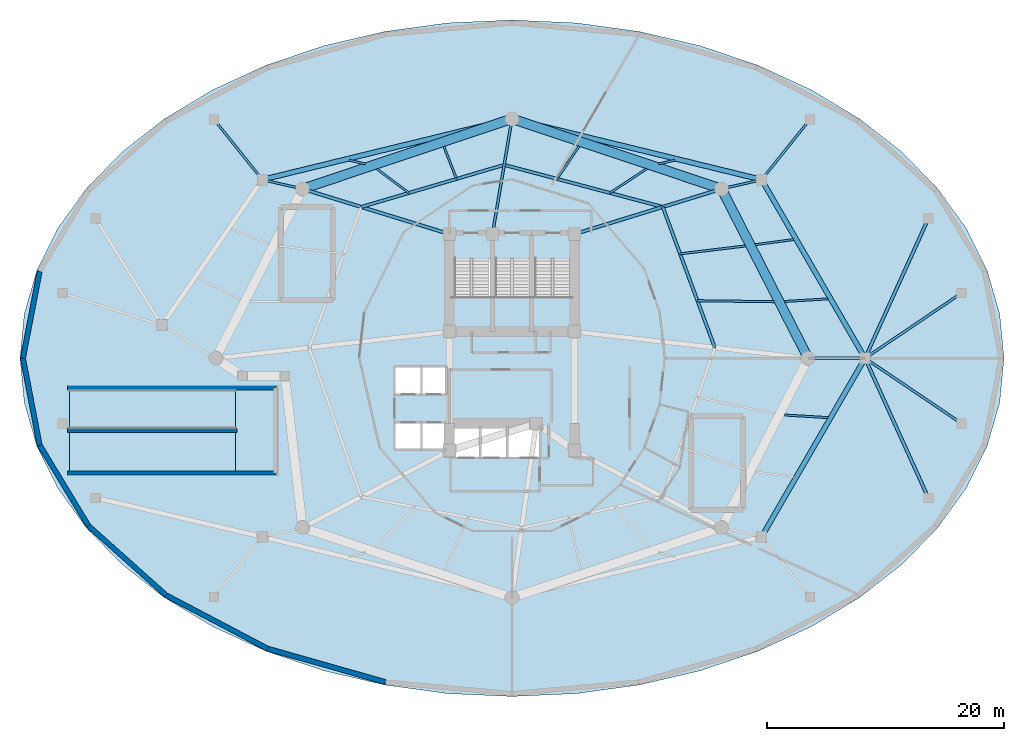
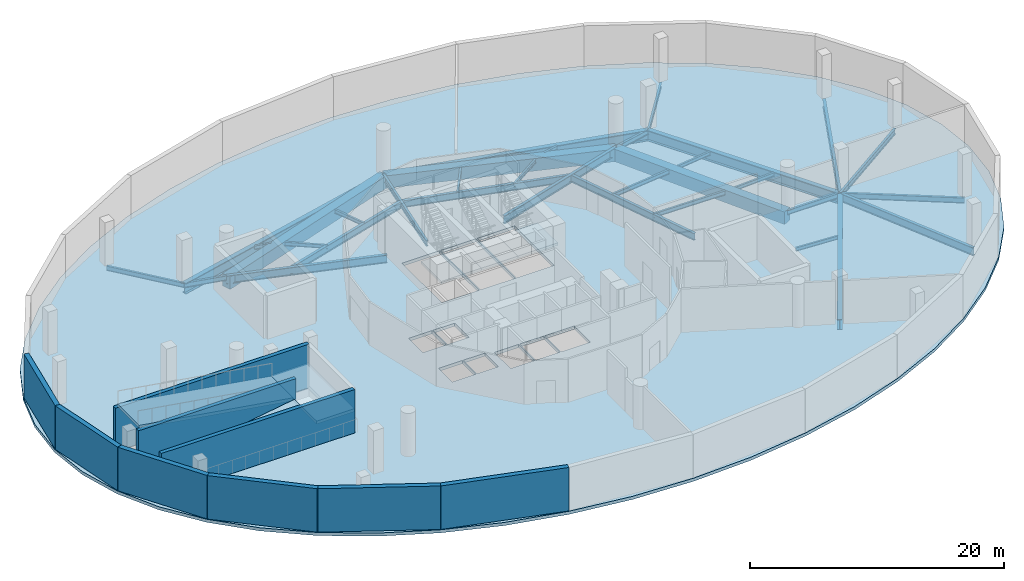
# One storey, part 2 of 8: 33 beams, 9 walls, 7 slabs, 3 elements without a shape of their own.
"""IFC4 building model written with IfcOpenShell, lengths in metres."""

from ifc_helpers import new_model, si_unit, direction, frame, frame_2d, origin, origin_2d, place, context, subcontext, project, spatial, polyline, rectangle, i_section, outline, extrude, material, layer, layer_set, material_profile, profile_set, type_object, element, aggregate, save


model = new_model("IFC4")

# Units and contexts
model_context = context("Model", 3, precision=1e-05, world=origin(), true_north=direction((0.0, 1.0)))
body_context = subcontext(model_context, "Body", "Model", "MODEL_VIEW")
ifc_project = project(units=[si_unit("LENGTHUNIT", "METRE"), si_unit("AREAUNIT", "SQUARE_METRE"), si_unit("VOLUMEUNIT", "CUBIC_METRE"), si_unit("PLANEANGLEUNIT", "RADIAN"), si_unit("MASSUNIT", "GRAM", prefix="KILO")], contexts=[model_context])

# Site, building, storey
site_placement = place(None, origin())
site = spatial("IfcSite", under=ifc_project, at=site_placement, CompositionType="ELEMENT")
building_placement = place(site_placement, origin())
building = spatial("IfcBuilding", under=site, at=building_placement, Name="Nuhasar Tower", CompositionType="ELEMENT")
storey_placement = place(building_placement, frame((0.0, 0.0, -4.5)))
storey = spatial("IfcBuildingStorey", under=building, at=storey_placement, Name="B1", CompositionType="ELEMENT", Elevation=-4.5)

# Beams
ifc_material_1 = material(Name="Concrete C50/60", Category="concrete")
ifc_material_profile_1 = material_profile(ifc_material_1, rectangle(XDim=0.800048828125, YDim=1.199951171875, at=origin_2d()), Name="RC800X1200")
ifc_profile_set_1 = profile_set([ifc_material_profile_1], Name="Concrete C50/60")
beam_type_1 = type_object("IfcBeamType", Name="BM-GRD-RC800", PredefinedType="T_BEAM", material=ifc_profile_set_1)
beam_1_placement = place(storey_placement, frame((64.050048828125, 26.800048828125, -0.89990234375), z_axis=(-0.456029199343, 0.889964813544, 0.0), x_axis=(-0.889964813544, -0.456029199343, 0.0)))
element("IfcBeam", 1, at=beam_1_placement, inside=storey, type_object=beam_type_1, Name="B1 Mega-Column Ring Girder 04", PredefinedType="T_BEAM", context=body_context, shape_type="SweptSolid", body=[
    extrude(rectangle(XDim=0.800048828125, YDim=1.199951171875, at=origin_2d()), origin(), (0.0, 0.0, 1.0), 16.089111328125),
])
for number, where, z_axis, x_axis, name in (
    (2, (56.712890625, 41.118896484375, -0.89990234375), (-0.948251107254, 0.317521397062, 0.0), (-0.317521397062, -0.948251107254, 0.0), "B1 Mega-Column Ring Girder 05"),
    (3, (39.0, 47.050048828125, -0.89990234375), (-0.948251107254, -0.317521397062, 0.0), (0.317521397062, -0.948251107254, 0.0), "B1 Mega-Column Ring Girder 06"),
):
    element("IfcBeam", number, at=place(storey_placement, frame(where, z_axis=z_axis, x_axis=x_axis)), inside=storey, type_object=beam_type_1, Name=name, PredefinedType="T_BEAM", context=body_context, shape_type="SweptSolid", body=[
        extrude(rectangle(XDim=0.800048828125, YDim=1.199951171875, at=origin_2d()), origin(), (0.0, 0.0, 1.0), 18.679443359375),
    ])
ifc_material_2 = material(Name="Steel S355", Category="steel")
ifc_material_profile_2 = material_profile(ifc_material_2, i_section(OverallWidth=0.25390625, OverallDepth=0.68408203125, WebThickness=0.012451171875, FlangeThickness=0.018798828125, at=origin_2d()), Name="W27X94")
ifc_profile_set_2 = profile_set([ifc_material_profile_2], Name="Steel S355")
beam_type_2 = type_object("IfcBeamType", Name="BM-INRING-W27X94", PredefinedType="BEAM", material=ifc_profile_set_2)
beam_2_placement = place(storey_placement, frame((56.14990234375, 27.699951171875, -0.64208984375), z_axis=(-0.34715757476, 0.937806812881, 0.0), x_axis=(-0.937806812881, -0.34715757476, 0.0)))
element("IfcBeam", 4, at=beam_2_placement, inside=storey, type_object=beam_type_2, Name="B1 Inner Header Beam 04", PredefinedType="BEAM", context=body_context, shape_type="SweptSolid", body=[
    extrude(i_section(OverallWidth=0.25390625, OverallDepth=0.68408203125, WebThickness=0.012451171875, FlangeThickness=0.018798828125, at=origin_2d()), origin(), (0.0, 0.0, 1.0), 12.6796875),
])
beam_3_placement = place(storey_placement, frame((51.748046875, 39.591064453125, -0.64208984375), z_axis=(-0.96653253005, 0.256544086574, 0.0), x_axis=(-0.256544086574, -0.96653253005, 0.0)))
element("IfcBeam", 5, at=beam_3_placement, inside=storey, type_object=beam_type_2, Name="B1 Inner Header Beam 05", PredefinedType="BEAM", context=body_context, shape_type="SweptSolid", body=[
    extrude(i_section(OverallWidth=0.25390625, OverallDepth=0.68408203125, WebThickness=0.012451171875, FlangeThickness=0.018798828125, at=origin_2d()), origin(), (0.0, 0.0, 1.0), 13.872314453125),
])
beam_4_placement = place(storey_placement, frame((38.340087890625, 43.14990234375, -0.64208984375), z_axis=(-0.959290190666, -0.28242225495, 0.0), x_axis=(0.28242225495, -0.959290190666, 0.0)))
element("IfcBeam", 6, at=beam_4_placement, inside=storey, type_object=beam_type_2, Name="B1 Inner Header Beam 06", PredefinedType="BEAM", context=body_context, shape_type="SweptSolid", body=[
    extrude(i_section(OverallWidth=0.25390625, OverallDepth=0.68408203125, WebThickness=0.012451171875, FlangeThickness=0.018798828125, at=origin_2d()), origin(), (0.0, 0.0, 1.0), 12.60107421875),
])
ifc_material_profile_3 = material_profile(ifc_material_2, i_section(OverallWidth=0.1708984375, OverallDepth=0.35205078125, WebThickness=0.0068359375, FlangeThickness=0.009765625, at=origin_2d()), Name="W14X30")
ifc_profile_set_3 = profile_set([ifc_material_profile_3], Name="Steel S355")
beam_type_3 = type_object("IfcBeamType", Name="BM-JST-W14X30", PredefinedType="JOIST", material=ifc_profile_set_3)
beam_5_placement = place(storey_placement, frame((47.279052734375, 40.777099609375, -0.47607421875), z_axis=(0.835827677941, 0.548991887725, 0.0), x_axis=(-0.548991887725, 0.835827677941, 0.0)))
element("IfcBeam", 7, at=beam_5_placement, inside=storey, type_object=beam_type_3, Name="B1 Secondary Floor Joist 09", PredefinedType="JOIST", context=body_context, shape_type="SweptSolid", body=[
    extrude(i_section(OverallWidth=0.1708984375, OverallDepth=0.35205078125, WebThickness=0.0068359375, FlangeThickness=0.009765625, at=origin_2d()), origin(), (0.0, 0.0, 1.0), 3.719482421875),
])
beam_6_placement = place(storey_placement, frame((42.80908203125, 41.964111328125, -0.47607421875), z_axis=(0.558996688028, 0.829169887763, 0.0), x_axis=(-0.829169887763, 0.558996688028, 0.0)))
element("IfcBeam", 8, at=beam_6_placement, inside=storey, type_object=beam_type_3, Name="B1 Secondary Floor Joist 10", PredefinedType="JOIST", context=body_context, shape_type="SweptSolid", body=[
    extrude(i_section(OverallWidth=0.1708984375, OverallDepth=0.35205078125, WebThickness=0.0068359375, FlangeThickness=0.009765625, at=origin_2d()), origin(), (0.0, 0.0, 1.0), 3.338134765625),
])
beam_7_placement = place(storey_placement, frame((34.31103515625, 41.964111328125, -0.47607421875), z_axis=(-0.364067646206, 0.931372508176, 0.0), x_axis=(-0.931372508176, -0.364067646206, 0.0)))
element("IfcBeam", 9, at=beam_7_placement, inside=storey, type_object=beam_type_3, Name="B1 Secondary Floor Joist 11", PredefinedType="JOIST", context=body_context, shape_type="SweptSolid", body=[
    extrude(i_section(OverallWidth=0.1708984375, OverallDepth=0.35205078125, WebThickness=0.0068359375, FlangeThickness=0.009765625, at=origin_2d()), origin(), (0.0, 0.0, 1.0), 2.94189453125),
])
beam_8_placement = place(storey_placement, frame((30.281005859375, 40.777099609375, -0.47607421875), z_axis=(-0.799861374517, 0.600184789507, 0.0), x_axis=(-0.600184789507, -0.799861374517, 0.0)))
element("IfcBeam", 10, at=beam_8_placement, inside=storey, type_object=beam_type_3, Name="B1 Secondary Floor Joist 12", PredefinedType="JOIST", context=body_context, shape_type="SweptSolid", body=[
    extrude(i_section(OverallWidth=0.1708984375, OverallDepth=0.35205078125, WebThickness=0.0068359375, FlangeThickness=0.009765625, at=origin_2d()), origin(), (0.0, 0.0, 1.0), 3.3818359375),
])
for number, where, z_axis, x_axis, name in (
    (11, (62.035888671875, 22.0009765625, -0.47607421875), (0.998208733743, -0.059827450882, 0.0), (0.059827450882, 0.998208733743, 0.0), "B1 Podium Secondary Joist 06"),
    (12, (62.035888671875, 31.59912109375, -0.47607421875), (0.998208733743, 0.059827450882, 0.0), (-0.059827450882, 0.998208733743, 0.0), "B1 Podium Secondary Joist 07"),
):
    element("IfcBeam", number, at=place(storey_placement, frame(where, z_axis=z_axis, x_axis=x_axis)), inside=storey, type_object=beam_type_3, Name=name, PredefinedType="JOIST", context=body_context, shape_type="SweptSolid", body=[
        extrude(i_section(OverallWidth=0.1708984375, OverallDepth=0.35205078125, WebThickness=0.0068359375, FlangeThickness=0.009765625, at=origin_2d()), origin(), (0.0, 0.0, 1.0), 3.6767578125),
    ])
beam_9_placement = place(storey_placement, frame((59.574951171875, 36.402099609375, -0.47607421875), z_axis=(0.99111285678, 0.133023701368, 0.0), x_axis=(-0.133023701368, 0.99111285678, 0.0)))
element("IfcBeam", 13, at=beam_9_placement, inside=storey, type_object=beam_type_3, Name="B1 Podium Secondary Joist 08", PredefinedType="JOIST", context=body_context, shape_type="SweptSolid", body=[
    extrude(i_section(OverallWidth=0.1708984375, OverallDepth=0.35205078125, WebThickness=0.0068359375, FlangeThickness=0.009765625, at=origin_2d()), origin(), (0.0, 0.0, 1.0), 3.25390625),
])
for number, where, z_axis, x_axis, name in (
    (14, (51.402099609375, 43.23193359375, -0.47607421875), (0.974673547169, 0.223632458399, 0.0), (-0.223632458399, 0.974673547169, 0.0), "B1 Podium Secondary Joist 09"),
    (15, (26.597900390625, 43.23193359375, -0.47607421875), (-0.974673547169, 0.223632458399, 0.0), (-0.223632458399, -0.974673547169, 0.0), "B1 Podium Secondary Joist 12"),
):
    element("IfcBeam", number, at=place(storey_placement, frame(where, z_axis=z_axis, x_axis=x_axis)), inside=storey, type_object=beam_type_3, Name=name, PredefinedType="JOIST", context=body_context, shape_type="SweptSolid", body=[
        extrude(i_section(OverallWidth=0.1708984375, OverallDepth=0.35205078125, WebThickness=0.0068359375, FlangeThickness=0.009765625, at=origin_2d()), origin(), (0.0, 0.0, 1.0), 1.395263671875),
    ])
ifc_material_profile_4 = material_profile(ifc_material_2, i_section(OverallWidth=0.177978515625, OverallDepth=0.406005859375, WebThickness=0.0078125, FlangeThickness=0.0126953125, at=origin_2d()), Name="W16X40")
ifc_profile_set_4 = profile_set([ifc_material_profile_4], Name="Steel S355")
beam_type_4 = type_object("IfcBeamType", Name="BM-JST-W16X40", PredefinedType="JOIST", material=ifc_profile_set_4)
beam_10_placement = place(storey_placement, frame((54.68310546875, 31.6640625, -0.5029296875), z_axis=(0.999913869962, -0.013124505969, 0.0), x_axis=(0.013124505969, 0.999913869962, 0.0)))
element("IfcBeam", 16, at=beam_10_placement, inside=storey, type_object=beam_type_4, Name="B1 Secondary Floor Joist 07", PredefinedType="JOIST", context=body_context, shape_type="SweptSolid", body=[
    extrude(i_section(OverallWidth=0.177978515625, OverallDepth=0.406005859375, WebThickness=0.0078125, FlangeThickness=0.0126953125, at=origin_2d()), origin(), (0.0, 0.0, 1.0), 6.473388671875),
])
beam_11_placement = place(storey_placement, frame((53.215087890625, 35.626953125, -0.5029296875), z_axis=(0.992770578083, 0.120027410589, 0.0), x_axis=(-0.120027410589, 0.992770578083, 0.0)))
element("IfcBeam", 17, at=beam_11_placement, inside=storey, type_object=beam_type_4, Name="B1 Secondary Floor Joist 08", PredefinedType="JOIST", context=body_context, shape_type="SweptSolid", body=[
    extrude(i_section(OverallWidth=0.177978515625, OverallDepth=0.406005859375, WebThickness=0.0078125, FlangeThickness=0.0126953125, at=origin_2d()), origin(), (0.0, 0.0, 1.0), 5.565185546875),
])
ifc_material_profile_5 = material_profile(ifc_material_2, i_section(OverallWidth=0.18994140625, OverallDepth=0.45703125, WebThickness=0.009033203125, FlangeThickness=0.014404296875, at=origin_2d()), Name="W18X50")
ifc_profile_set_5 = profile_set([ifc_material_profile_5], Name="Steel S355")
beam_type_5 = type_object("IfcBeamType", Name="BM-RAD-W18X50", PredefinedType="BEAM", material=ifc_profile_set_5)
beam_12_placement = place(storey_placement, frame((64.050048828125, 26.800048828125, -0.529052734375), z_axis=(1.0, 0.0, 0.0), x_axis=(0.0, 1.0, 0.0)))
element("IfcBeam", 18, at=beam_12_placement, inside=storey, type_object=beam_type_5, Name="B1 Podium Radial Girder 04", PredefinedType="BEAM", context=body_context, shape_type="SweptSolid", body=[
    extrude(i_section(OverallWidth=0.18994140625, OverallDepth=0.45703125, WebThickness=0.009033203125, FlangeThickness=0.014404296875, at=origin_2d()), origin(), (0.0, 0.0, 1.0), 4.800048828125),
])
for number, where, z_axis, x_axis, name in (
    (19, (56.712890625, 41.118896484375, -0.529052734375), (0.974715141502, 0.223451097394, 0.0), (-0.223451097394, 0.974715141502, 0.0), "B1 Podium Radial Girder 05"),
    (20, (21.287109375, 41.118896484375, -0.529052734375), (-0.974715141502, 0.223451097394, 0.0), (-0.223451097394, -0.974715141502, 0.0), "B1 Podium Radial Girder 07"),
):
    element("IfcBeam", number, at=place(storey_placement, frame(where, z_axis=z_axis, x_axis=x_axis)), inside=storey, type_object=beam_type_5, Name=name, PredefinedType="BEAM", context=body_context, shape_type="SweptSolid", body=[
        extrude(i_section(OverallWidth=0.18994140625, OverallDepth=0.45703125, WebThickness=0.009033203125, FlangeThickness=0.014404296875, at=origin_2d()), origin(), (0.0, 0.0, 1.0), 3.482177734375),
    ])
for number, where, z_axis, x_axis, name in (
    (21, (60.10693359375, 41.89697265625, -0.529052734375), (0.625682182074, 0.780078077525, 0.0), (-0.780078077525, 0.625682182074, 0.0), "B1 Substructure Cap Tie Girder 09"),
    (22, (17.89306640625, 41.89697265625, -0.529052734375), (-0.625682182074, 0.780078077525, 0.0), (-0.780078077525, -0.625682182074, 0.0), "B1 Substructure Cap Tie Girder 12"),
):
    element("IfcBeam", number, at=place(storey_placement, frame(where, z_axis=z_axis, x_axis=x_axis)), inside=storey, type_object=beam_type_5, Name=name, PredefinedType="BEAM", context=body_context, shape_type="SweptSolid", body=[
        extrude(i_section(OverallWidth=0.18994140625, OverallDepth=0.45703125, WebThickness=0.009033203125, FlangeThickness=0.014404296875, at=origin_2d()), origin(), (0.0, 0.0, 1.0), 6.541748046875),
    ])
ifc_material_profile_6 = material_profile(ifc_material_2, i_section(OverallWidth=0.208984375, OverallDepth=0.532958984375, WebThickness=0.01025390625, FlangeThickness=0.015625, at=origin_2d()), Name="W21X62")
ifc_profile_set_6 = profile_set([ifc_material_profile_6], Name="Steel S355")
beam_type_6 = type_object("IfcBeamType", Name="BM-RAD-W21X62", PredefinedType="BEAM", material=ifc_profile_set_6)
beam_13_placement = place(storey_placement, frame((37.35009765625, 37.300048828125, -0.56591796875), z_axis=(0.166848703013, 0.98598251014, 0.0), x_axis=(-0.98598251014, 0.166848703013, 0.0)))
element("IfcBeam", 23, at=beam_13_placement, inside=storey, type_object=beam_type_6, Name="B1 Radial Floor Girder 06", PredefinedType="BEAM", context=body_context, shape_type="SweptSolid", body=[
    extrude(i_section(OverallWidth=0.208984375, OverallDepth=0.532958984375, WebThickness=0.01025390625, FlangeThickness=0.015625, at=origin_2d()), origin(), (0.0, 0.0, 1.0), 9.888671875),
])
for number, where, z_axis, x_axis, name in (
    (24, (68.85009765625, 26.800048828125, -0.56591796875), (0.828904515443, -0.559390118145, 0.0), (0.559390118145, 0.828904515443, 0.0), "B1 Substructure Cap Tie Girder 04"),
    (25, (68.85009765625, 26.800048828125, -0.56591796875), (0.828904515443, 0.559390118145, 0.0), (-0.559390118145, 0.828904515443, 0.0), "B1 Substructure Cap Tie Girder 07"),
):
    element("IfcBeam", number, at=place(storey_placement, frame(where, z_axis=z_axis, x_axis=x_axis)), inside=storey, type_object=beam_type_6, Name=name, PredefinedType="BEAM", context=body_context, shape_type="SweptSolid", body=[
        extrude(i_section(OverallWidth=0.208984375, OverallDepth=0.532958984375, WebThickness=0.01025390625, FlangeThickness=0.015625, at=origin_2d()), origin(), (0.0, 0.0, 1.0), 9.83203125),
    ])
ifc_material_profile_7 = material_profile(ifc_material_2, i_section(OverallWidth=0.26611328125, OverallDepth=0.779052734375, WebThickness=0.0166015625, FlangeThickness=0.030029296875, at=origin_2d()), Name="W30X148")
ifc_profile_set_7 = profile_set([ifc_material_profile_7], Name="Steel S355")
beam_type_7 = type_object("IfcBeamType", Name="BM-RAD-W30X148", PredefinedType="BEAM", material=ifc_profile_set_7)
for number, where, z_axis, x_axis, name in (
    (26, (44.300048828125, 37.300048828125, -0.68896484375), (0.955789576103, 0.294051502653, 0.0), (-0.294051502653, 0.955789576103, 0.0), "B1 Radial Floor Girder 05"),
    (27, (33.699951171875, 37.300048828125, -0.68896484375), (-0.955789576103, 0.294051502653, 0.0), (-0.294051502653, -0.955789576103, 0.0), "B1 Radial Floor Girder 07"),
):
    element("IfcBeam", number, at=place(storey_placement, frame(where, z_axis=z_axis, x_axis=x_axis)), inside=storey, type_object=beam_type_7, Name=name, PredefinedType="BEAM", context=body_context, shape_type="SweptSolid", body=[
        extrude(i_section(OverallWidth=0.26611328125, OverallDepth=0.779052734375, WebThickness=0.0166015625, FlangeThickness=0.030029296875, at=origin_2d()), origin(), (0.0, 0.0, 1.0), 12.987060546875),
    ])
for number, where, z_axis, x_axis, name in (
    (28, (68.85009765625, 26.800048828125, -0.68896484375), (0.412919682004, -0.910767443541, 0.0), (0.910767443541, 0.412919682004, 0.0), "B1 Substructure Cap Tie Girder 05"),
    (29, (68.85009765625, 26.800048828125, -0.68896484375), (0.412919682004, 0.910767443541, 0.0), (-0.910767443541, 0.412919682004, 0.0), "B1 Substructure Cap Tie Girder 08"),
):
    element("IfcBeam", number, at=place(storey_placement, frame(where, z_axis=z_axis, x_axis=x_axis)), inside=storey, type_object=beam_type_7, Name=name, PredefinedType="BEAM", context=body_context, shape_type="SweptSolid", body=[
        extrude(i_section(OverallWidth=0.26611328125, OverallDepth=0.779052734375, WebThickness=0.0166015625, FlangeThickness=0.030029296875, at=origin_2d()), origin(), (0.0, 0.0, 1.0), 12.9560546875),
    ])
ifc_material_3 = material(Name="Steel S460", Category="steel")
ifc_material_profile_8 = material_profile(ifc_material_3, i_section(OverallWidth=0.419921875, OverallDepth=1.0400390625, WebThickness=0.031005859375, FlangeThickness=0.055908203125, at=origin_2d()), Name="W40X397")
ifc_profile_set_8 = profile_set([ifc_material_profile_8], Name="Steel S460")
beam_type_8 = type_object("IfcBeamType", Name="BM-XFER-W40X397", PredefinedType="USERDEFINED", material=ifc_profile_set_8)
beam_14_placement = place(storey_placement, frame((60.10693359375, 11.702880859375, -0.820068359375), z_axis=(0.501152108266, 0.865359211184, 0.0), x_axis=(-0.865359211184, 0.501152108266, 0.0)))
element("IfcBeam", 30, at=beam_14_placement, inside=storey, type_object=beam_type_8, Name="B1 Podium Ring Girder 03", ObjectType="GIRDER", PredefinedType="USERDEFINED", context=body_context, shape_type="SweptSolid", body=[
    extrude(i_section(OverallWidth=0.419921875, OverallDepth=1.0400390625, WebThickness=0.031005859375, FlangeThickness=0.055908203125, at=origin_2d()), origin(), (0.0, 0.0, 1.0), 17.446044921875),
])
beam_15_placement = place(storey_placement, frame((68.85009765625, 26.800048828125, -0.820068359375), z_axis=(-0.501158177185, 0.865355696486, 0.0), x_axis=(-0.865355696486, -0.501158177185, 0.0)))
element("IfcBeam", 31, at=beam_15_placement, inside=storey, type_object=beam_type_8, Name="B1 Podium Ring Girder 04", ObjectType="GIRDER", PredefinedType="USERDEFINED", context=body_context, shape_type="SweptSolid", body=[
    extrude(i_section(OverallWidth=0.419921875, OverallDepth=1.0400390625, WebThickness=0.031005859375, FlangeThickness=0.055908203125, at=origin_2d()), origin(), (0.0, 0.0, 1.0), 17.44580078125),
])
for number, where, z_axis, x_axis, name in (
    (32, (60.10693359375, 41.89697265625, -0.820068359375), (-0.971466874575, 0.23717527612, 0.0), (-0.23717527612, -0.971466874575, 0.0), "B1 Podium Ring Girder 05"),
    (33, (39.0, 47.050048828125, -0.820068359375), (-0.971466874575, -0.23717527612, 0.0), (0.23717527612, -0.971466874575, 0.0), "B1 Podium Ring Girder 06"),
):
    element("IfcBeam", number, at=place(storey_placement, frame(where, z_axis=z_axis, x_axis=x_axis)), inside=storey, type_object=beam_type_8, Name=name, ObjectType="GIRDER", PredefinedType="USERDEFINED", context=body_context, shape_type="SweptSolid", body=[
        extrude(i_section(OverallWidth=0.419921875, OverallDepth=1.0400390625, WebThickness=0.031005859375, FlangeThickness=0.055908203125, at=origin_2d()), origin(), (0.0, 0.0, 1.0), 21.726806640625),
    ])

# Slabs
ifc_layer_1 = layer(ifc_material_1, 0.300048828125)
ifc_layer_set_1 = layer_set([ifc_layer_1], Name="Concrete C50/60")
slab_type_1 = type_object("IfcSlabType", Name="SLB-B1-300", PredefinedType="FLOOR", material=ifc_layer_set_1)
slab_1_placement = place(storey_placement, frame((0.0, 0.0, -0.300048828125)))
element("IfcSlab", 34, at=slab_1_placement, inside=storey, type_object=slab_type_1, Name="B1 Structural Slab", PredefinedType="FLOOR", context=body_context, shape_type="SweptSolid", body=[
    extrude(outline(polyline([(80.60009765625, 26.800048828125), (80.243896484375, 30.532958984375), (79.18310546875, 34.201904296875), (77.43310546875, 37.7451171875), (75.027099609375, 41.10009765625), (72.0029296875, 44.2109375), (68.416015625, 47.02294921875), (64.323974609375, 49.489990234375), (59.800048828125, 51.568115234375), (54.919921875, 53.222900390625), (49.76708984375, 54.425048828125), (44.429931640625, 55.155029296875), (39.0, 55.39990234375), (33.570068359375, 55.155029296875), (28.23291015625, 54.425048828125), (23.080078125, 53.222900390625), (18.199951171875, 51.568115234375), (13.676025390625, 49.489990234375), (9.583984375, 47.02294921875), (5.9970703125, 44.2109375), (2.972900390625, 41.10009765625), (0.56689453125, 37.7451171875), (-1.18310546875, 34.201904296875), (-2.243896484375, 30.532958984375), (-2.60009765625, 26.800048828125), (-2.243896484375, 23.06689453125), (-1.18310546875, 19.39794921875), (0.56689453125, 15.85498046875), (2.972900390625, 12.5), (5.9970703125, 9.388916015625), (9.583984375, 6.576904296875), (13.676025390625, 4.110107421875), (18.199951171875, 2.031982421875), (23.080078125, 0.376953125), (28.23291015625, -0.824951171875), (33.570068359375, -1.554931640625), (39.0, -1.800048828125), (44.429931640625, -1.554931640625), (49.76708984375, -0.824951171875), (54.919921875, 0.376953125), (59.800048828125, 2.031982421875), (64.323974609375, 4.110107421875), (68.416015625, 6.576904296875), (72.0029296875, 9.388916015625), (75.027099609375, 12.5), (77.43310546875, 15.85498046875), (79.18310546875, 19.39794921875), (80.243896484375, 23.06689453125), (80.60009765625, 26.800048828125)]), holes=[polyline([(33.8798828125, 35.25), (37.300048828125, 35.25), (37.300048828125, 29.0), (33.8798828125, 29.0), (33.8798828125, 35.25)]), polyline([(37.39990234375, 35.25), (40.60009765625, 35.25), (40.60009765625, 29.0), (37.39990234375, 29.0), (37.39990234375, 35.25)]), polyline([(40.699951171875, 35.25), (44.1201171875, 35.25), (44.1201171875, 29.0), (40.699951171875, 29.0), (40.699951171875, 35.25)]), polyline([(29.14990234375, 26.050048828125), (31.300048828125, 26.050048828125), (31.300048828125, 23.800048828125), (29.14990234375, 23.800048828125), (29.14990234375, 26.050048828125)]), polyline([(31.39990234375, 26.050048828125), (33.35009765625, 26.050048828125), (33.35009765625, 23.800048828125), (31.39990234375, 23.800048828125), (31.39990234375, 26.050048828125)]), polyline([(29.14990234375, 21.300048828125), (31.300048828125, 21.300048828125), (31.300048828125, 19.14990234375), (29.14990234375, 19.14990234375), (29.14990234375, 21.300048828125)]), polyline([(31.39990234375, 21.300048828125), (33.35009765625, 21.300048828125), (33.35009765625, 19.14990234375), (31.39990234375, 19.14990234375), (31.39990234375, 21.300048828125)]), polyline([(34.050048828125, 21.0), (36.25, 21.0), (36.25, 18.449951171875), (34.050048828125, 18.449951171875), (34.050048828125, 21.0)]), polyline([(36.35009765625, 21.0), (38.550048828125, 21.0), (38.550048828125, 18.449951171875), (36.35009765625, 18.449951171875), (36.35009765625, 21.0)]), polyline([(38.64990234375, 21.0), (41.320068359375, 21.0), (41.320068359375, 18.449951171875), (38.64990234375, 18.449951171875), (38.64990234375, 21.0)]), polyline([(1.60009765625, 24.39990234375), (19.10009765625, 24.39990234375), (19.10009765625, 17.0), (1.60009765625, 17.0), (1.60009765625, 24.39990234375)])]), origin(), (0.0, 0.0, 1.0), 0.300048828125),
])
ifc_material_4 = material(Name="Concrete C45/55", Category="concrete")
ifc_layer_2 = layer(ifc_material_4, 0.300048828125)
ifc_layer_set_2 = layer_set([ifc_layer_2], Name="Concrete C45/55")
slab_type_2 = type_object("IfcSlabType", Name="SLB-RAMP-300", PredefinedType="USERDEFINED", material=ifc_layer_set_2)
for number, where, z_axis, x_axis, name in (
    (35, (1.60009765625, 17.14990234375, 0.0), (-0.158678095384, 0.0, 0.987330371277), (0.987330371277, 0.0, 0.158678095384), "B1 Vehicular Ramp Flight 2A"),
    (36, (15.60009765625, 24.25, 2.25), (0.158678095384, 0.0, 0.987330371277), (-0.987330371277, 0.0, 0.158678095384), "B1 Vehicular Ramp Flight 2B"),
):
    element("IfcSlab", number, at=place(storey_placement, frame(where, z_axis=z_axis, x_axis=x_axis)), inside=storey, type_object=slab_type_2, Name=name, ObjectType="RAMP", PredefinedType="USERDEFINED", context=body_context, shape_type="SweptSolid", body=[
        extrude(outline(polyline([(0.0, 0.0), (14.179650912487233, 0.0), (14.179650912487233, 3.5), (0.0, 3.5), (0.0, 0.0)])), origin(), (-0.158678095384, 0.0, -0.987330371277), 0.303955078125),
    ])
ifc_layer_3 = layer(ifc_material_1, 0.300048828125)
ifc_layer_set_3 = layer_set([ifc_layer_3], Name="Concrete C50/60")
slab_type_3 = type_object("IfcSlabType", Name="SLB-RAMP-LND-300", PredefinedType="LANDING", material=ifc_layer_set_3)
slab_2_placement = place(storey_placement, frame((0.0, 0.0, 1.949951171875)))
element("IfcSlab", 37, at=slab_2_placement, inside=storey, type_object=slab_type_3, Name="B1 Vehicular Ramp Mid Landing 2", PredefinedType="LANDING", context=body_context, shape_type="SweptSolid", body=[
    extrude(outline(polyline([(15.60009765625, 17.050048828125), (19.050048828125, 17.050048828125), (19.050048828125, 24.35009765625), (15.60009765625, 24.35009765625), (15.60009765625, 17.050048828125)])), origin(), (0.0, 0.0, 1.0), 0.300048828125),
])

# Stair, slab
stair_type_1 = type_object("IfcStairType", Name="STR-ST-01-2F-26R-1731", PredefinedType="HALF_TURN_STAIR", material=ifc_material_4)
stair_1_placement = place(storey_placement, origin())
stair_1 = element("IfcStair", 38, at=stair_1_placement, inside=storey, type_object=stair_type_1, Name="B1 Exit Stair ST-01", PredefinedType="HALF_TURN_STAIR")
ifc_layer_4 = layer(ifc_material_4, 0.239990234375)
ifc_layer_set_4 = layer_set([ifc_layer_4], Name="Concrete C45/55")
slab_type_4 = type_object("IfcSlabType", Name="SLB-STAIR-LND-240", PredefinedType="LANDING", material=ifc_layer_set_4)
slab_3_placement = place(storey_placement, frame((0.0, 0.0, 2.010009765625)))
slab_3 = element("IfcSlab", 39, at=slab_3_placement, type_object=slab_type_4, Name="ST-01 landing 1", PredefinedType="LANDING", context=body_context, shape_type="SweptSolid", body=[
    extrude(outline(polyline([(33.699951171875, 28.75), (37.35009765625, 28.75), (37.35009765625, 31.9599609375), (33.699951171875, 31.9599609375), (33.699951171875, 28.75)])), origin(), (0.0, 0.0, 1.0), 0.239990234375),
])
aggregate(stair_1, [slab_3])

stair_type_2 = type_object("IfcStairType", Name="STR-ST-03-2F-26R-1731", PredefinedType="HALF_TURN_STAIR", material=ifc_material_4)
stair_2_placement = place(storey_placement, origin())
stair_2 = element("IfcStair", 40, at=stair_2_placement, inside=storey, type_object=stair_type_2, Name="B1 Exit Stair ST-03", PredefinedType="HALF_TURN_STAIR")
slab_4_placement = place(storey_placement, frame((0.0, 0.0, 2.010009765625)))
slab_4 = element("IfcSlab", 41, at=slab_4_placement, type_object=slab_type_4, Name="ST-03 landing 1", PredefinedType="LANDING", context=body_context, shape_type="SweptSolid", body=[
    extrude(outline(polyline([(37.35009765625, 28.75), (40.64990234375, 28.75), (40.64990234375, 31.9599609375), (37.35009765625, 31.9599609375), (37.35009765625, 28.75)])), origin(), (0.0, 0.0, 1.0), 0.239990234375),
])
aggregate(stair_2, [slab_4])

stair_type_3 = type_object("IfcStairType", Name="STR-ST-02-2F-26R-1731", PredefinedType="HALF_TURN_STAIR", material=ifc_material_4)
stair_3_placement = place(storey_placement, origin())
stair_3 = element("IfcStair", 42, at=stair_3_placement, inside=storey, type_object=stair_type_3, Name="B1 Exit Stair ST-02", PredefinedType="HALF_TURN_STAIR")
slab_5_placement = place(storey_placement, frame((0.0, 0.0, 2.010009765625)))
slab_5 = element("IfcSlab", 43, at=slab_5_placement, type_object=slab_type_4, Name="ST-02 landing 1", PredefinedType="LANDING", context=body_context, shape_type="SweptSolid", body=[
    extrude(outline(polyline([(40.64990234375, 28.75), (44.300048828125, 28.75), (44.300048828125, 31.9599609375), (40.64990234375, 31.9599609375), (40.64990234375, 28.75)])), origin(), (0.0, 0.0, 1.0), 0.239990234375),
])
aggregate(stair_3, [slab_5])

# Walls
ifc_layer_5 = layer(ifc_material_1, 0.419921875)
ifc_layer_set_5 = layer_set([ifc_layer_5], Name="Concrete C50/60")
wall_type_1 = type_object("IfcWallType", Name="WL-DIAPH-420", PredefinedType="SHEAR", material=ifc_layer_set_5)
wall_1_placement = place(storey_placement, frame((-0.94091796875, 34.137939453125, 0.0), z_axis=(0.0, 0.0, 1.0), x_axis=(-0.188595316219, -0.982054889861, 0.0)))
element("IfcWall", 44, at=wall_1_placement, inside=storey, type_object=wall_type_1, Name="B1 Perimeter Diaphragm Retaining Wall 12 DW-420", PredefinedType="SHEAR", context=body_context, shape_type="SweptSolid", body=[
    extrude(rectangle(XDim=7.471923828125, YDim=0.419921875, at=frame_2d((3.73583984375, 0.0))), origin(), (0.0, 0.0, 1.0), 4.179931640625),
])
wall_2_placement = place(storey_placement, frame((-2.35009765625, 26.800048828125, 0.0), z_axis=(0.0, 0.0, 1.0), x_axis=(0.188589264795, -0.982056051966, 0.0)))
element("IfcWall", 45, at=wall_2_placement, inside=storey, type_object=wall_type_1, Name="B1 Perimeter Diaphragm Retaining Wall 13 DW-420", PredefinedType="SHEAR", context=body_context, shape_type="SweptSolid", body=[
    extrude(rectangle(XDim=7.47216796875, YDim=0.419921875, at=frame_2d((3.736083984375, 0.0))), origin(), (0.0, 0.0, 1.0), 4.179931640625),
])
wall_3_placement = place(storey_placement, frame((-0.94091796875, 19.4619140625, 0.0), z_axis=(0.0, 0.0, 1.0), x_axis=(0.517136164524, -0.855903141332, 0.0)))
element("IfcWall", 46, at=wall_3_placement, inside=storey, type_object=wall_type_1, Name="B1 Perimeter Diaphragm Retaining Wall 14 DW-420", PredefinedType="SHEAR", context=body_context, shape_type="SweptSolid", body=[
    extrude(rectangle(XDim=7.988037109375, YDim=0.419921875, at=frame_2d((3.994140625, 0.0))), origin(), (0.0, 0.0, 1.0), 4.179931640625),
])
wall_4_placement = place(storey_placement, frame((3.18994140625, 12.625, 0.0), z_axis=(0.0, 0.0, 1.0), x_axis=(0.745707061302, -0.666273951707, 0.0)))
element("IfcWall", 47, at=wall_4_placement, inside=storey, type_object=wall_type_1, Name="B1 Perimeter Diaphragm Retaining Wall 15 DW-420", PredefinedType="SHEAR", context=body_context, shape_type="SweptSolid", body=[
    extrude(rectangle(XDim=8.811767578125, YDim=0.419921875, at=frame_2d((4.40576171875, 0.0))), origin(), (0.0, 0.0, 1.0), 4.179931640625),
])
wall_5_placement = place(storey_placement, frame((9.760986328125, 6.75390625, 0.0), z_axis=(0.0, 0.0, 1.0), x_axis=(0.884981697028, -0.46562581106, 0.0)))
element("IfcWall", 48, at=wall_5_placement, inside=storey, type_object=wall_type_1, Name="B1 Perimeter Diaphragm Retaining Wall 16 DW-420", PredefinedType="SHEAR", context=body_context, shape_type="SweptSolid", body=[
    extrude(rectangle(XDim=9.677001953125, YDim=0.419921875, at=frame_2d((4.83837890625, 0.0))), origin(), (0.0, 0.0, 1.0), 4.179931640625),
])
wall_6_placement = place(storey_placement, frame((18.324951171875, 2.248046875, 0.0), z_axis=(0.0, 0.0, 1.0), x_axis=(0.961967006375, -0.273165661541, 0.0)))
element("IfcWall", 49, at=wall_6_placement, inside=storey, type_object=wall_type_1, Name="B1 Perimeter Diaphragm Retaining Wall 17 DW-420", PredefinedType="SHEAR", context=body_context, shape_type="SweptSolid", body=[
    extrude(rectangle(XDim=10.367431640625, YDim=0.419921875, at=frame_2d((5.18359375, 0.0))), origin(), (0.0, 0.0, 1.0), 4.179931640625),
])
ifc_layer_6 = layer(ifc_material_1, 0.35009765625)
ifc_layer_set_6 = layer_set([ifc_layer_6], Name="Concrete C50/60")
wall_type_2 = type_object("IfcWallType", Name="WL-RAMP-350", PredefinedType="SHEAR", material=ifc_layer_set_6)
for number, where, z_axis, x_axis, name in (
    (50, (1.39990234375, 17.10009765625, 0.0), (0.0, 0.0, 1.0), (1.0, 0.0, 0.0), "B1 Ramp Support Shear Wall S"),
    (51, (1.39990234375, 24.300048828125, 0.0), (0.0, 0.0, 1.0), (1.0, 0.0, 0.0), "B1 Ramp Support Shear Wall N"),
):
    element("IfcWall", number, at=place(storey_placement, frame(where, z_axis=z_axis, x_axis=x_axis)), inside=storey, type_object=wall_type_2, Name=name, PredefinedType="SHEAR", context=body_context, shape_type="SweptSolid", body=[
        extrude(rectangle(XDim=17.60009765625, YDim=0.35009765625, at=frame_2d((8.800048828125, 0.0))), origin(), (0.0, 0.0, 1.0), 4.179931640625),
    ])
wall_7_placement = place(storey_placement, frame((1.39990234375, 20.699951171875, 0.0), z_axis=(0.0, 0.0, 1.0), x_axis=(1.0, 0.0, 0.0)))
element("IfcWall", 52, at=wall_7_placement, inside=storey, type_object=wall_type_2, Name="B1 Ramp Support Shear Wall M", PredefinedType="SHEAR", context=body_context, shape_type="SweptSolid", body=[
    extrude(rectangle(XDim=14.35009765625, YDim=0.35009765625, at=frame_2d((7.175048828125, 0.0))), origin(), (0.0, 0.0, 1.0), 4.179931640625),
])

save(model, "model.ifc")
